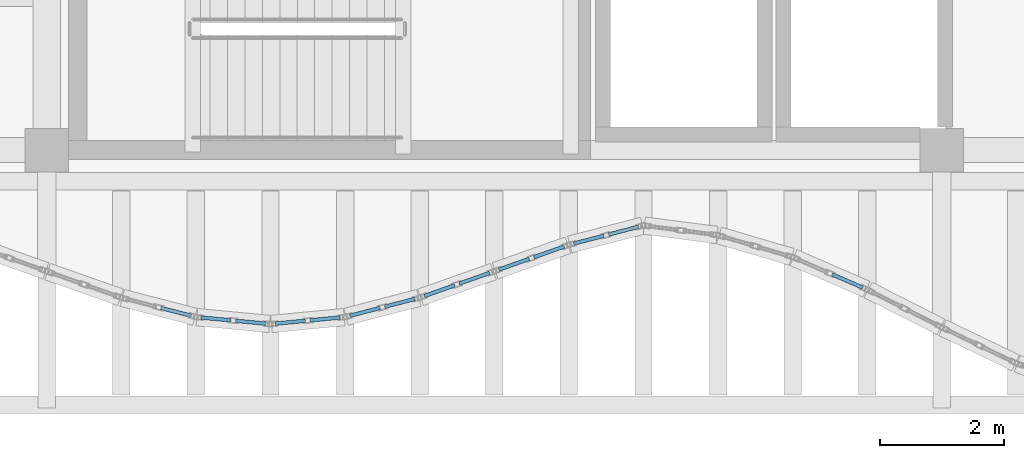
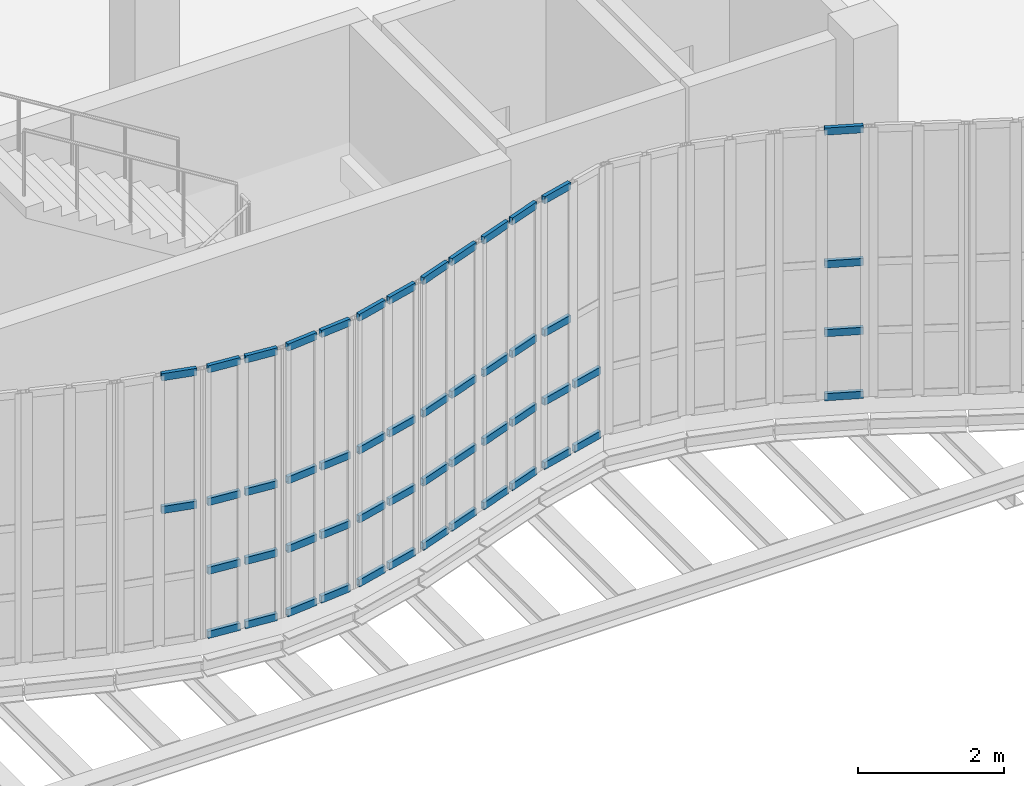
# One storey, part 50 of 108: 52 members, 8 elements without a shape of their own.
"""IFC4 building model written with IfcOpenShell, lengths in metres."""

from ifc_helpers import new_model, si_unit, direction, frame, origin, origin_2d, place, context, subcontext, project, spatial, hollow_rectangle, extrude, material, layer, layer_set, material_profile, profile_set, type_object, element, aggregate, save


model = new_model("IFC4")

# Units and contexts
model_context = context("Model", 3, precision=1e-05, world=origin(), true_north=direction((0.0, 1.0)))
body_context = subcontext(model_context, "Body", "Model", "MODEL_VIEW")
ifc_project = project(units=[si_unit("LENGTHUNIT", "METRE"), si_unit("AREAUNIT", "SQUARE_METRE"), si_unit("VOLUMEUNIT", "CUBIC_METRE"), si_unit("PLANEANGLEUNIT", "RADIAN"), si_unit("MASSUNIT", "GRAM", prefix="KILO"), si_unit("THERMODYNAMICTEMPERATUREUNIT", "KELVIN"), si_unit("POWERUNIT", "WATT")], contexts=[model_context])

# Site, building, storey
site_placement = place(None, origin())
site = spatial("IfcSite", under=ifc_project, at=site_placement, CompositionType="ELEMENT")
building_placement = place(site_placement, origin())
building = spatial("IfcBuilding", under=site, at=building_placement, Name="Kaldorven Railside Theatre", CompositionType="ELEMENT")
storey_placement = place(building_placement, frame((0.0, 0.0, 5.39990234375)))
storey = spatial("IfcBuildingStorey", under=building, at=storey_placement, Name="L01", CompositionType="ELEMENT", Elevation=5.39990234375)

# Curtain wall, members
ifc_material_1 = material(Name="Low-E laminated solar-control glass", Category="glass")
ifc_layer_1 = layer(ifc_material_1, 0.159912109375, Name="Low-E laminated solar-control glass")
ifc_layer_set_1 = layer_set([ifc_layer_1], Name="Low-E laminated solar-control glass")
curtain_wall_type_1 = type_object("IfcCurtainWallType", Name="CWT-02", PredefinedType="USERDEFINED", material=ifc_layer_set_1)
curtain_wall_1_placement = place(storey_placement, origin())
curtain_wall_1 = element("IfcCurtainWall", 1, at=curtain_wall_1_placement, inside=storey, type_object=curtain_wall_type_1, Name="Sinusoidal Fluted Curtain Wall CW-L01-S20", ObjectType="FLUTED GLAZING", PredefinedType="USERDEFINED")
ifc_material_2 = material(Name="Anodised bronze aluminium", Category="aluminium")
ifc_material_profile = material_profile(ifc_material_2, hollow_rectangle(XDim=0.06005859375, YDim=0.1201171875, WallThickness=0.0048828125, at=origin_2d()), Name="RHS 120x60x5")
ifc_profile_set = profile_set([ifc_material_profile], Name="Anodised bronze aluminium")
member_type = type_object("IfcMemberType", Name="CWT-120", PredefinedType="USERDEFINED", material=ifc_profile_set)
member_1_placement = place(storey_placement, frame((60.23876953125, 16.659423828125, 2.25), z_axis=(0.967979318949, -0.251029954561, 0.0), x_axis=(0.251029954561, 0.967979318949, 0.0)))
member_1 = element("IfcMember", 2, at=member_1_placement, type_object=member_type, Name="CW-L01-S20 transom 2.3", ObjectType="TRANSOM", PredefinedType="USERDEFINED", context=body_context, shape_type="SweptSolid", body=[
    extrude(hollow_rectangle(XDim=0.06005859375, YDim=0.1201171875, WallThickness=0.0048828125, at=origin_2d()), origin(), (0.0, 0.0, 1.0), 0.5),
])
member_2_placement = place(storey_placement, frame((60.23876953125, 16.659423828125, 4.47021484375), z_axis=(0.967979318949, -0.251029954561, 0.0), x_axis=(0.251029954561, 0.967979318949, 0.0)))
member_2 = element("IfcMember", 3, at=member_2_placement, type_object=member_type, Name="CW-L01-S20 transom 2.4", ObjectType="TRANSOM", PredefinedType="USERDEFINED", context=body_context, shape_type="SweptSolid", body=[
    extrude(hollow_rectangle(XDim=0.06005859375, YDim=0.1201171875, WallThickness=0.0048828125, at=origin_2d()), origin(), (0.0, 0.0, 1.0), 0.5),
])
aggregate(curtain_wall_1, [member_1, member_2])

ifc_layer_2 = layer(ifc_material_1, 0.159912109375, Name="Low-E laminated solar-control glass")
ifc_layer_set_2 = layer_set([ifc_layer_2], Name="Low-E laminated solar-control glass")
curtain_wall_type_2 = type_object("IfcCurtainWallType", Name="CWT-03", PredefinedType="USERDEFINED", material=ifc_layer_set_2)
curtain_wall_2_placement = place(storey_placement, origin())
curtain_wall_2 = element("IfcCurtainWall", 4, at=curtain_wall_2_placement, inside=storey, type_object=curtain_wall_type_2, Name="Sinusoidal Fluted Curtain Wall CW-L01-S21", ObjectType="FLUTED GLAZING", PredefinedType="USERDEFINED")
member_3_placement = place(storey_placement, frame((60.879638671875, 16.50634765625, 0.030029296875), z_axis=(0.995515910823, -0.094594245591, 0.0), x_axis=(0.094594245591, 0.995515910823, 0.0)))
member_3 = element("IfcMember", 5, at=member_3_placement, type_object=member_type, Name="CW-L01-S21 transom 1.1", ObjectType="TRANSOM", PredefinedType="USERDEFINED", context=body_context, shape_type="SweptSolid", body=[
    extrude(hollow_rectangle(XDim=0.06005859375, YDim=0.1201171875, WallThickness=0.0048828125, at=origin_2d()), origin(), (0.0, 0.0, 1.0), 0.482666015625),
])
member_4_placement = place(storey_placement, frame((60.879638671875, 16.50634765625, 1.10009765625), z_axis=(0.995515910823, -0.094594245591, 0.0), x_axis=(0.094594245591, 0.995515910823, 0.0)))
member_4 = element("IfcMember", 6, at=member_4_placement, type_object=member_type, Name="CW-L01-S21 transom 1.2", ObjectType="TRANSOM", PredefinedType="USERDEFINED", context=body_context, shape_type="SweptSolid", body=[
    extrude(hollow_rectangle(XDim=0.06005859375, YDim=0.1201171875, WallThickness=0.0048828125, at=origin_2d()), origin(), (0.0, 0.0, 1.0), 0.482666015625),
])
member_5_placement = place(storey_placement, frame((60.879638671875, 16.50634765625, 2.25), z_axis=(0.995515910823, -0.094594245591, 0.0), x_axis=(0.094594245591, 0.995515910823, 0.0)))
member_5 = element("IfcMember", 7, at=member_5_placement, type_object=member_type, Name="CW-L01-S21 transom 1.3", ObjectType="TRANSOM", PredefinedType="USERDEFINED", context=body_context, shape_type="SweptSolid", body=[
    extrude(hollow_rectangle(XDim=0.06005859375, YDim=0.1201171875, WallThickness=0.0048828125, at=origin_2d()), origin(), (0.0, 0.0, 1.0), 0.482666015625),
])
member_6_placement = place(storey_placement, frame((60.879638671875, 16.50634765625, 4.47021484375), z_axis=(0.995515910823, -0.094594245591, 0.0), x_axis=(0.094594245591, 0.995515910823, 0.0)))
member_6 = element("IfcMember", 8, at=member_6_placement, type_object=member_type, Name="CW-L01-S21 transom 1.4", ObjectType="TRANSOM", PredefinedType="USERDEFINED", context=body_context, shape_type="SweptSolid", body=[
    extrude(hollow_rectangle(XDim=0.06005859375, YDim=0.1201171875, WallThickness=0.0048828125, at=origin_2d()), origin(), (0.0, 0.0, 1.0), 0.482666015625),
])
member_7_placement = place(storey_placement, frame((61.43994140625, 16.453125, 0.030029296875), z_axis=(0.995515910823, -0.094594245591, 0.0), x_axis=(0.094594245591, 0.995515910823, 0.0)))
member_7 = element("IfcMember", 9, at=member_7_placement, type_object=member_type, Name="CW-L01-S21 transom 2.1", ObjectType="TRANSOM", PredefinedType="USERDEFINED", context=body_context, shape_type="SweptSolid", body=[
    extrude(hollow_rectangle(XDim=0.06005859375, YDim=0.1201171875, WallThickness=0.0048828125, at=origin_2d()), origin(), (0.0, 0.0, 1.0), 0.482666015625),
])
member_8_placement = place(storey_placement, frame((61.43994140625, 16.453125, 1.10009765625), z_axis=(0.995515910823, -0.094594245591, 0.0), x_axis=(0.094594245591, 0.995515910823, 0.0)))
member_8 = element("IfcMember", 10, at=member_8_placement, type_object=member_type, Name="CW-L01-S21 transom 2.2", ObjectType="TRANSOM", PredefinedType="USERDEFINED", context=body_context, shape_type="SweptSolid", body=[
    extrude(hollow_rectangle(XDim=0.06005859375, YDim=0.1201171875, WallThickness=0.0048828125, at=origin_2d()), origin(), (0.0, 0.0, 1.0), 0.482666015625),
])
member_9_placement = place(storey_placement, frame((61.43994140625, 16.453125, 2.25), z_axis=(0.995515910823, -0.094594245591, 0.0), x_axis=(0.094594245591, 0.995515910823, 0.0)))
member_9 = element("IfcMember", 11, at=member_9_placement, type_object=member_type, Name="CW-L01-S21 transom 2.3", ObjectType="TRANSOM", PredefinedType="USERDEFINED", context=body_context, shape_type="SweptSolid", body=[
    extrude(hollow_rectangle(XDim=0.06005859375, YDim=0.1201171875, WallThickness=0.0048828125, at=origin_2d()), origin(), (0.0, 0.0, 1.0), 0.482666015625),
])
member_10_placement = place(storey_placement, frame((61.43994140625, 16.453125, 4.47021484375), z_axis=(0.995515910823, -0.094594245591, 0.0), x_axis=(0.094594245591, 0.995515910823, 0.0)))
member_10 = element("IfcMember", 12, at=member_10_placement, type_object=member_type, Name="CW-L01-S21 transom 2.4", ObjectType="TRANSOM", PredefinedType="USERDEFINED", context=body_context, shape_type="SweptSolid", body=[
    extrude(hollow_rectangle(XDim=0.06005859375, YDim=0.1201171875, WallThickness=0.0048828125, at=origin_2d()), origin(), (0.0, 0.0, 1.0), 0.482666015625),
])
aggregate(curtain_wall_2, [member_3, member_4, member_5, member_6, member_7, member_8, member_9, member_10])

curtain_wall_3_placement = place(storey_placement, origin())
curtain_wall_3 = element("IfcCurtainWall", 13, at=curtain_wall_3_placement, inside=storey, type_object=curtain_wall_type_2, Name="Sinusoidal Fluted Curtain Wall CW-L01-S22", ObjectType="FLUTED GLAZING", PredefinedType="USERDEFINED")
member_11_placement = place(storey_placement, frame((62.07958984375, 16.407470703125, 0.030029296875), z_axis=(0.995515910823, 0.094594245591, 0.0), x_axis=(-0.094594245591, 0.995515910823, 0.0)))
member_11 = element("IfcMember", 14, at=member_11_placement, type_object=member_type, Name="CW-L01-S22 transom 1.1", ObjectType="TRANSOM", PredefinedType="USERDEFINED", context=body_context, shape_type="SweptSolid", body=[
    extrude(hollow_rectangle(XDim=0.06005859375, YDim=0.1201171875, WallThickness=0.0048828125, at=origin_2d()), origin(), (0.0, 0.0, 1.0), 0.482666015625),
])
member_12_placement = place(storey_placement, frame((62.07958984375, 16.407470703125, 1.10009765625), z_axis=(0.995515910823, 0.094594245591, 0.0), x_axis=(-0.094594245591, 0.995515910823, 0.0)))
member_12 = element("IfcMember", 15, at=member_12_placement, type_object=member_type, Name="CW-L01-S22 transom 1.2", ObjectType="TRANSOM", PredefinedType="USERDEFINED", context=body_context, shape_type="SweptSolid", body=[
    extrude(hollow_rectangle(XDim=0.06005859375, YDim=0.1201171875, WallThickness=0.0048828125, at=origin_2d()), origin(), (0.0, 0.0, 1.0), 0.482666015625),
])
member_13_placement = place(storey_placement, frame((62.07958984375, 16.407470703125, 2.25), z_axis=(0.995515910823, 0.094594245591, 0.0), x_axis=(-0.094594245591, 0.995515910823, 0.0)))
member_13 = element("IfcMember", 16, at=member_13_placement, type_object=member_type, Name="CW-L01-S22 transom 1.3", ObjectType="TRANSOM", PredefinedType="USERDEFINED", context=body_context, shape_type="SweptSolid", body=[
    extrude(hollow_rectangle(XDim=0.06005859375, YDim=0.1201171875, WallThickness=0.0048828125, at=origin_2d()), origin(), (0.0, 0.0, 1.0), 0.482666015625),
])
member_14_placement = place(storey_placement, frame((62.07958984375, 16.407470703125, 4.47021484375), z_axis=(0.995515910823, 0.094594245591, 0.0), x_axis=(-0.094594245591, 0.995515910823, 0.0)))
member_14 = element("IfcMember", 17, at=member_14_placement, type_object=member_type, Name="CW-L01-S22 transom 1.4", ObjectType="TRANSOM", PredefinedType="USERDEFINED", context=body_context, shape_type="SweptSolid", body=[
    extrude(hollow_rectangle(XDim=0.06005859375, YDim=0.1201171875, WallThickness=0.0048828125, at=origin_2d()), origin(), (0.0, 0.0, 1.0), 0.482666015625),
])
member_15_placement = place(storey_placement, frame((62.639892578125, 16.460693359375, 0.030029296875), z_axis=(0.995515910823, 0.094594245591, 0.0), x_axis=(-0.094594245591, 0.995515910823, 0.0)))
member_15 = element("IfcMember", 18, at=member_15_placement, type_object=member_type, Name="CW-L01-S22 transom 2.1", ObjectType="TRANSOM", PredefinedType="USERDEFINED", context=body_context, shape_type="SweptSolid", body=[
    extrude(hollow_rectangle(XDim=0.06005859375, YDim=0.1201171875, WallThickness=0.0048828125, at=origin_2d()), origin(), (0.0, 0.0, 1.0), 0.482666015625),
])
member_16_placement = place(storey_placement, frame((62.639892578125, 16.460693359375, 1.10009765625), z_axis=(0.995515910823, 0.094594245591, 0.0), x_axis=(-0.094594245591, 0.995515910823, 0.0)))
member_16 = element("IfcMember", 19, at=member_16_placement, type_object=member_type, Name="CW-L01-S22 transom 2.2", ObjectType="TRANSOM", PredefinedType="USERDEFINED", context=body_context, shape_type="SweptSolid", body=[
    extrude(hollow_rectangle(XDim=0.06005859375, YDim=0.1201171875, WallThickness=0.0048828125, at=origin_2d()), origin(), (0.0, 0.0, 1.0), 0.482666015625),
])
member_17_placement = place(storey_placement, frame((62.639892578125, 16.460693359375, 2.25), z_axis=(0.995515910823, 0.094594245591, 0.0), x_axis=(-0.094594245591, 0.995515910823, 0.0)))
member_17 = element("IfcMember", 20, at=member_17_placement, type_object=member_type, Name="CW-L01-S22 transom 2.3", ObjectType="TRANSOM", PredefinedType="USERDEFINED", context=body_context, shape_type="SweptSolid", body=[
    extrude(hollow_rectangle(XDim=0.06005859375, YDim=0.1201171875, WallThickness=0.0048828125, at=origin_2d()), origin(), (0.0, 0.0, 1.0), 0.482666015625),
])
member_18_placement = place(storey_placement, frame((62.639892578125, 16.460693359375, 4.47021484375), z_axis=(0.995515910823, 0.094594245591, 0.0), x_axis=(-0.094594245591, 0.995515910823, 0.0)))
member_18 = element("IfcMember", 21, at=member_18_placement, type_object=member_type, Name="CW-L01-S22 transom 2.4", ObjectType="TRANSOM", PredefinedType="USERDEFINED", context=body_context, shape_type="SweptSolid", body=[
    extrude(hollow_rectangle(XDim=0.06005859375, YDim=0.1201171875, WallThickness=0.0048828125, at=origin_2d()), origin(), (0.0, 0.0, 1.0), 0.482666015625),
])
aggregate(curtain_wall_3, [member_11, member_12, member_13, member_14, member_15, member_16, member_17, member_18])

curtain_wall_4_placement = place(storey_placement, origin())
curtain_wall_4 = element("IfcCurtainWall", 22, at=curtain_wall_4_placement, inside=storey, type_object=curtain_wall_type_1, Name="Sinusoidal Fluted Curtain Wall CW-L01-S23", ObjectType="FLUTED GLAZING", PredefinedType="USERDEFINED")
member_19_placement = place(storey_placement, frame((63.27734375, 16.533935546875, 0.030029296875), z_axis=(0.967979318949, 0.251029954561, 0.0), x_axis=(-0.251029954561, 0.967979318949, 0.0)))
member_19 = element("IfcMember", 23, at=member_19_placement, type_object=member_type, Name="CW-L01-S23 transom 1.1", ObjectType="TRANSOM", PredefinedType="USERDEFINED", context=body_context, shape_type="SweptSolid", body=[
    extrude(hollow_rectangle(XDim=0.06005859375, YDim=0.1201171875, WallThickness=0.0048828125, at=origin_2d()), origin(), (0.0, 0.0, 1.0), 0.5),
])
member_20_placement = place(storey_placement, frame((63.27734375, 16.533935546875, 1.10009765625), z_axis=(0.967979318949, 0.251029954561, 0.0), x_axis=(-0.251029954561, 0.967979318949, 0.0)))
member_20 = element("IfcMember", 24, at=member_20_placement, type_object=member_type, Name="CW-L01-S23 transom 1.2", ObjectType="TRANSOM", PredefinedType="USERDEFINED", context=body_context, shape_type="SweptSolid", body=[
    extrude(hollow_rectangle(XDim=0.06005859375, YDim=0.1201171875, WallThickness=0.0048828125, at=origin_2d()), origin(), (0.0, 0.0, 1.0), 0.5),
])
member_21_placement = place(storey_placement, frame((63.27734375, 16.533935546875, 2.25), z_axis=(0.967979318949, 0.251029954561, 0.0), x_axis=(-0.251029954561, 0.967979318949, 0.0)))
member_21 = element("IfcMember", 25, at=member_21_placement, type_object=member_type, Name="CW-L01-S23 transom 1.3", ObjectType="TRANSOM", PredefinedType="USERDEFINED", context=body_context, shape_type="SweptSolid", body=[
    extrude(hollow_rectangle(XDim=0.06005859375, YDim=0.1201171875, WallThickness=0.0048828125, at=origin_2d()), origin(), (0.0, 0.0, 1.0), 0.5),
])
member_22_placement = place(storey_placement, frame((63.27734375, 16.533935546875, 4.47021484375), z_axis=(0.967979318949, 0.251029954561, 0.0), x_axis=(-0.251029954561, 0.967979318949, 0.0)))
member_22 = element("IfcMember", 26, at=member_22_placement, type_object=member_type, Name="CW-L01-S23 transom 1.4", ObjectType="TRANSOM", PredefinedType="USERDEFINED", context=body_context, shape_type="SweptSolid", body=[
    extrude(hollow_rectangle(XDim=0.06005859375, YDim=0.1201171875, WallThickness=0.0048828125, at=origin_2d()), origin(), (0.0, 0.0, 1.0), 0.5),
])
member_23_placement = place(storey_placement, frame((63.838623046875, 16.679443359375, 0.030029296875), z_axis=(0.967979318949, 0.251029954561, 0.0), x_axis=(-0.251029954561, 0.967979318949, 0.0)))
member_23 = element("IfcMember", 27, at=member_23_placement, type_object=member_type, Name="CW-L01-S23 transom 2.1", ObjectType="TRANSOM", PredefinedType="USERDEFINED", context=body_context, shape_type="SweptSolid", body=[
    extrude(hollow_rectangle(XDim=0.06005859375, YDim=0.1201171875, WallThickness=0.0048828125, at=origin_2d()), origin(), (0.0, 0.0, 1.0), 0.5),
])
member_24_placement = place(storey_placement, frame((63.838623046875, 16.679443359375, 1.10009765625), z_axis=(0.967979318949, 0.251029954561, 0.0), x_axis=(-0.251029954561, 0.967979318949, 0.0)))
member_24 = element("IfcMember", 28, at=member_24_placement, type_object=member_type, Name="CW-L01-S23 transom 2.2", ObjectType="TRANSOM", PredefinedType="USERDEFINED", context=body_context, shape_type="SweptSolid", body=[
    extrude(hollow_rectangle(XDim=0.06005859375, YDim=0.1201171875, WallThickness=0.0048828125, at=origin_2d()), origin(), (0.0, 0.0, 1.0), 0.5),
])
member_25_placement = place(storey_placement, frame((63.838623046875, 16.679443359375, 2.25), z_axis=(0.967979318949, 0.251029954561, 0.0), x_axis=(-0.251029954561, 0.967979318949, 0.0)))
member_25 = element("IfcMember", 29, at=member_25_placement, type_object=member_type, Name="CW-L01-S23 transom 2.3", ObjectType="TRANSOM", PredefinedType="USERDEFINED", context=body_context, shape_type="SweptSolid", body=[
    extrude(hollow_rectangle(XDim=0.06005859375, YDim=0.1201171875, WallThickness=0.0048828125, at=origin_2d()), origin(), (0.0, 0.0, 1.0), 0.5),
])
member_26_placement = place(storey_placement, frame((63.838623046875, 16.679443359375, 4.47021484375), z_axis=(0.967979318949, 0.251029954561, 0.0), x_axis=(-0.251029954561, 0.967979318949, 0.0)))
member_26 = element("IfcMember", 30, at=member_26_placement, type_object=member_type, Name="CW-L01-S23 transom 2.4", ObjectType="TRANSOM", PredefinedType="USERDEFINED", context=body_context, shape_type="SweptSolid", body=[
    extrude(hollow_rectangle(XDim=0.06005859375, YDim=0.1201171875, WallThickness=0.0048828125, at=origin_2d()), origin(), (0.0, 0.0, 1.0), 0.5),
])
aggregate(curtain_wall_4, [member_19, member_20, member_21, member_22, member_23, member_24, member_25, member_26])

ifc_layer_3 = layer(ifc_material_1, 0.159912109375, Name="Low-E laminated solar-control glass")
ifc_layer_set_3 = layer_set([ifc_layer_3], Name="Low-E laminated solar-control glass")
curtain_wall_type_3 = type_object("IfcCurtainWallType", Name="CWT-01", PredefinedType="USERDEFINED", material=ifc_layer_set_3)
curtain_wall_5_placement = place(storey_placement, origin())
curtain_wall_5 = element("IfcCurtainWall", 31, at=curtain_wall_5_placement, inside=storey, type_object=curtain_wall_type_3, Name="Sinusoidal Fluted Curtain Wall CW-L01-S24", ObjectType="FLUTED GLAZING", PredefinedType="USERDEFINED")
member_27_placement = place(storey_placement, frame((64.475341796875, 16.851806640625, 0.030029296875), z_axis=(0.942710841688, 0.333610954502, 0.0), x_axis=(-0.333610954502, 0.942710841688, 0.0)))
member_27 = element("IfcMember", 32, at=member_27_placement, type_object=member_type, Name="CW-L01-S24 transom 1.1", ObjectType="TRANSOM", PredefinedType="USERDEFINED", context=body_context, shape_type="SweptSolid", body=[
    extrude(hollow_rectangle(XDim=0.06005859375, YDim=0.1201171875, WallThickness=0.0048828125, at=origin_2d()), origin(), (0.0, 0.0, 1.0), 0.5166015625),
])
member_28_placement = place(storey_placement, frame((64.475341796875, 16.851806640625, 1.10009765625), z_axis=(0.942710841688, 0.333610954502, 0.0), x_axis=(-0.333610954502, 0.942710841688, 0.0)))
member_28 = element("IfcMember", 33, at=member_28_placement, type_object=member_type, Name="CW-L01-S24 transom 1.2", ObjectType="TRANSOM", PredefinedType="USERDEFINED", context=body_context, shape_type="SweptSolid", body=[
    extrude(hollow_rectangle(XDim=0.06005859375, YDim=0.1201171875, WallThickness=0.0048828125, at=origin_2d()), origin(), (0.0, 0.0, 1.0), 0.5166015625),
])
member_29_placement = place(storey_placement, frame((64.475341796875, 16.851806640625, 2.25), z_axis=(0.942710841688, 0.333610954502, 0.0), x_axis=(-0.333610954502, 0.942710841688, 0.0)))
member_29 = element("IfcMember", 34, at=member_29_placement, type_object=member_type, Name="CW-L01-S24 transom 1.3", ObjectType="TRANSOM", PredefinedType="USERDEFINED", context=body_context, shape_type="SweptSolid", body=[
    extrude(hollow_rectangle(XDim=0.06005859375, YDim=0.1201171875, WallThickness=0.0048828125, at=origin_2d()), origin(), (0.0, 0.0, 1.0), 0.5166015625),
])
member_30_placement = place(storey_placement, frame((64.475341796875, 16.851806640625, 4.47021484375), z_axis=(0.942710841688, 0.333610954502, 0.0), x_axis=(-0.333610954502, 0.942710841688, 0.0)))
member_30 = element("IfcMember", 35, at=member_30_placement, type_object=member_type, Name="CW-L01-S24 transom 1.4", ObjectType="TRANSOM", PredefinedType="USERDEFINED", context=body_context, shape_type="SweptSolid", body=[
    extrude(hollow_rectangle(XDim=0.06005859375, YDim=0.1201171875, WallThickness=0.0048828125, at=origin_2d()), origin(), (0.0, 0.0, 1.0), 0.5166015625),
])
member_31_placement = place(storey_placement, frame((65.03759765625, 17.05078125, 0.030029296875), z_axis=(0.94256215944, 0.334030800363, 0.0), x_axis=(-0.334030800363, 0.94256215944, 0.0)))
member_31 = element("IfcMember", 36, at=member_31_placement, type_object=member_type, Name="CW-L01-S24 transom 2.1", ObjectType="TRANSOM", PredefinedType="USERDEFINED", context=body_context, shape_type="SweptSolid", body=[
    extrude(hollow_rectangle(XDim=0.06005859375, YDim=0.1201171875, WallThickness=0.0048828125, at=origin_2d()), origin(), (0.0, 0.0, 1.0), 0.516845703125),
])
member_32_placement = place(storey_placement, frame((65.03759765625, 17.05078125, 1.10009765625), z_axis=(0.94256215944, 0.334030800363, 0.0), x_axis=(-0.334030800363, 0.94256215944, 0.0)))
member_32 = element("IfcMember", 37, at=member_32_placement, type_object=member_type, Name="CW-L01-S24 transom 2.2", ObjectType="TRANSOM", PredefinedType="USERDEFINED", context=body_context, shape_type="SweptSolid", body=[
    extrude(hollow_rectangle(XDim=0.06005859375, YDim=0.1201171875, WallThickness=0.0048828125, at=origin_2d()), origin(), (0.0, 0.0, 1.0), 0.516845703125),
])
member_33_placement = place(storey_placement, frame((65.03759765625, 17.05078125, 2.25), z_axis=(0.94256215944, 0.334030800363, 0.0), x_axis=(-0.334030800363, 0.94256215944, 0.0)))
member_33 = element("IfcMember", 38, at=member_33_placement, type_object=member_type, Name="CW-L01-S24 transom 2.3", ObjectType="TRANSOM", PredefinedType="USERDEFINED", context=body_context, shape_type="SweptSolid", body=[
    extrude(hollow_rectangle(XDim=0.06005859375, YDim=0.1201171875, WallThickness=0.0048828125, at=origin_2d()), origin(), (0.0, 0.0, 1.0), 0.516845703125),
])
member_34_placement = place(storey_placement, frame((65.03759765625, 17.05078125, 4.47021484375), z_axis=(0.94256215944, 0.334030800363, 0.0), x_axis=(-0.334030800363, 0.94256215944, 0.0)))
member_34 = element("IfcMember", 39, at=member_34_placement, type_object=member_type, Name="CW-L01-S24 transom 2.4", ObjectType="TRANSOM", PredefinedType="USERDEFINED", context=body_context, shape_type="SweptSolid", body=[
    extrude(hollow_rectangle(XDim=0.06005859375, YDim=0.1201171875, WallThickness=0.0048828125, at=origin_2d()), origin(), (0.0, 0.0, 1.0), 0.516845703125),
])
aggregate(curtain_wall_5, [member_27, member_28, member_29, member_30, member_31, member_32, member_33, member_34])

curtain_wall_6_placement = place(storey_placement, origin())
curtain_wall_6 = element("IfcCurtainWall", 40, at=curtain_wall_6_placement, inside=storey, type_object=curtain_wall_type_3, Name="Sinusoidal Fluted Curtain Wall CW-L01-S25", ObjectType="FLUTED GLAZING", PredefinedType="USERDEFINED")
member_35_placement = place(storey_placement, frame((65.67529296875, 17.276611328125, 0.030029296875), z_axis=(0.94256215944, 0.334030800363, 0.0), x_axis=(-0.334030800363, 0.94256215944, 0.0)))
member_35 = element("IfcMember", 41, at=member_35_placement, type_object=member_type, Name="CW-L01-S25 transom 1.1", ObjectType="TRANSOM", PredefinedType="USERDEFINED", context=body_context, shape_type="SweptSolid", body=[
    extrude(hollow_rectangle(XDim=0.06005859375, YDim=0.1201171875, WallThickness=0.0048828125, at=origin_2d()), origin(), (0.0, 0.0, 1.0), 0.516845703125),
])
member_36_placement = place(storey_placement, frame((65.67529296875, 17.276611328125, 1.10009765625), z_axis=(0.94256215944, 0.334030800363, 0.0), x_axis=(-0.334030800363, 0.94256215944, 0.0)))
member_36 = element("IfcMember", 42, at=member_36_placement, type_object=member_type, Name="CW-L01-S25 transom 1.2", ObjectType="TRANSOM", PredefinedType="USERDEFINED", context=body_context, shape_type="SweptSolid", body=[
    extrude(hollow_rectangle(XDim=0.06005859375, YDim=0.1201171875, WallThickness=0.0048828125, at=origin_2d()), origin(), (0.0, 0.0, 1.0), 0.516845703125),
])
member_37_placement = place(storey_placement, frame((65.67529296875, 17.276611328125, 2.25), z_axis=(0.94256215944, 0.334030800363, 0.0), x_axis=(-0.334030800363, 0.94256215944, 0.0)))
member_37 = element("IfcMember", 43, at=member_37_placement, type_object=member_type, Name="CW-L01-S25 transom 1.3", ObjectType="TRANSOM", PredefinedType="USERDEFINED", context=body_context, shape_type="SweptSolid", body=[
    extrude(hollow_rectangle(XDim=0.06005859375, YDim=0.1201171875, WallThickness=0.0048828125, at=origin_2d()), origin(), (0.0, 0.0, 1.0), 0.516845703125),
])
member_38_placement = place(storey_placement, frame((65.67529296875, 17.276611328125, 4.47021484375), z_axis=(0.94256215944, 0.334030800363, 0.0), x_axis=(-0.334030800363, 0.94256215944, 0.0)))
member_38 = element("IfcMember", 44, at=member_38_placement, type_object=member_type, Name="CW-L01-S25 transom 1.4", ObjectType="TRANSOM", PredefinedType="USERDEFINED", context=body_context, shape_type="SweptSolid", body=[
    extrude(hollow_rectangle(XDim=0.06005859375, YDim=0.1201171875, WallThickness=0.0048828125, at=origin_2d()), origin(), (0.0, 0.0, 1.0), 0.516845703125),
])
member_39_placement = place(storey_placement, frame((66.23779296875, 17.475830078125, 0.030029296875), z_axis=(0.942658214948, 0.333759628763, 0.0), x_axis=(-0.333759628763, 0.942658214948, 0.0)))
member_39 = element("IfcMember", 45, at=member_39_placement, type_object=member_type, Name="CW-L01-S25 transom 2.1", ObjectType="TRANSOM", PredefinedType="USERDEFINED", context=body_context, shape_type="SweptSolid", body=[
    extrude(hollow_rectangle(XDim=0.06005859375, YDim=0.1201171875, WallThickness=0.0048828125, at=origin_2d()), origin(), (0.0, 0.0, 1.0), 0.516357421875),
])
member_40_placement = place(storey_placement, frame((66.23779296875, 17.475830078125, 1.10009765625), z_axis=(0.942658214948, 0.333759628763, 0.0), x_axis=(-0.333759628763, 0.942658214948, 0.0)))
member_40 = element("IfcMember", 46, at=member_40_placement, type_object=member_type, Name="CW-L01-S25 transom 2.2", ObjectType="TRANSOM", PredefinedType="USERDEFINED", context=body_context, shape_type="SweptSolid", body=[
    extrude(hollow_rectangle(XDim=0.06005859375, YDim=0.1201171875, WallThickness=0.0048828125, at=origin_2d()), origin(), (0.0, 0.0, 1.0), 0.516357421875),
])
member_41_placement = place(storey_placement, frame((66.23779296875, 17.475830078125, 2.25), z_axis=(0.942658214948, 0.333759628763, 0.0), x_axis=(-0.333759628763, 0.942658214948, 0.0)))
member_41 = element("IfcMember", 47, at=member_41_placement, type_object=member_type, Name="CW-L01-S25 transom 2.3", ObjectType="TRANSOM", PredefinedType="USERDEFINED", context=body_context, shape_type="SweptSolid", body=[
    extrude(hollow_rectangle(XDim=0.06005859375, YDim=0.1201171875, WallThickness=0.0048828125, at=origin_2d()), origin(), (0.0, 0.0, 1.0), 0.516357421875),
])
member_42_placement = place(storey_placement, frame((66.23779296875, 17.475830078125, 4.47021484375), z_axis=(0.942658214948, 0.333759628763, 0.0), x_axis=(-0.333759628763, 0.942658214948, 0.0)))
member_42 = element("IfcMember", 48, at=member_42_placement, type_object=member_type, Name="CW-L01-S25 transom 2.4", ObjectType="TRANSOM", PredefinedType="USERDEFINED", context=body_context, shape_type="SweptSolid", body=[
    extrude(hollow_rectangle(XDim=0.06005859375, YDim=0.1201171875, WallThickness=0.0048828125, at=origin_2d()), origin(), (0.0, 0.0, 1.0), 0.516357421875),
])
aggregate(curtain_wall_6, [member_35, member_36, member_37, member_38, member_39, member_40, member_41, member_42])

curtain_wall_7_placement = place(storey_placement, origin())
curtain_wall_7 = element("IfcCurtainWall", 49, at=curtain_wall_7_placement, inside=storey, type_object=curtain_wall_type_1, Name="Sinusoidal Fluted Curtain Wall CW-L01-S26", ObjectType="FLUTED GLAZING", PredefinedType="USERDEFINED")
member_43_placement = place(storey_placement, frame((66.87744140625, 17.695068359375, 0.030029296875), z_axis=(0.967979318949, 0.251029954561, 0.0), x_axis=(-0.251029954561, 0.967979318949, 0.0)))
member_43 = element("IfcMember", 50, at=member_43_placement, type_object=member_type, Name="CW-L01-S26 transom 1.1", ObjectType="TRANSOM", PredefinedType="USERDEFINED", context=body_context, shape_type="SweptSolid", body=[
    extrude(hollow_rectangle(XDim=0.06005859375, YDim=0.1201171875, WallThickness=0.0048828125, at=origin_2d()), origin(), (0.0, 0.0, 1.0), 0.5),
])
member_44_placement = place(storey_placement, frame((66.87744140625, 17.695068359375, 1.10009765625), z_axis=(0.967979318949, 0.251029954561, 0.0), x_axis=(-0.251029954561, 0.967979318949, 0.0)))
member_44 = element("IfcMember", 51, at=member_44_placement, type_object=member_type, Name="CW-L01-S26 transom 1.2", ObjectType="TRANSOM", PredefinedType="USERDEFINED", context=body_context, shape_type="SweptSolid", body=[
    extrude(hollow_rectangle(XDim=0.06005859375, YDim=0.1201171875, WallThickness=0.0048828125, at=origin_2d()), origin(), (0.0, 0.0, 1.0), 0.5),
])
member_45_placement = place(storey_placement, frame((66.87744140625, 17.695068359375, 2.25), z_axis=(0.967979318949, 0.251029954561, 0.0), x_axis=(-0.251029954561, 0.967979318949, 0.0)))
member_45 = element("IfcMember", 52, at=member_45_placement, type_object=member_type, Name="CW-L01-S26 transom 1.3", ObjectType="TRANSOM", PredefinedType="USERDEFINED", context=body_context, shape_type="SweptSolid", body=[
    extrude(hollow_rectangle(XDim=0.06005859375, YDim=0.1201171875, WallThickness=0.0048828125, at=origin_2d()), origin(), (0.0, 0.0, 1.0), 0.5),
])
member_46_placement = place(storey_placement, frame((66.87744140625, 17.695068359375, 4.47021484375), z_axis=(0.967979318949, 0.251029954561, 0.0), x_axis=(-0.251029954561, 0.967979318949, 0.0)))
member_46 = element("IfcMember", 53, at=member_46_placement, type_object=member_type, Name="CW-L01-S26 transom 1.4", ObjectType="TRANSOM", PredefinedType="USERDEFINED", context=body_context, shape_type="SweptSolid", body=[
    extrude(hollow_rectangle(XDim=0.06005859375, YDim=0.1201171875, WallThickness=0.0048828125, at=origin_2d()), origin(), (0.0, 0.0, 1.0), 0.5),
])
member_47_placement = place(storey_placement, frame((67.438720703125, 17.840576171875, 0.030029296875), z_axis=(0.967979318949, 0.251029954561, 0.0), x_axis=(-0.251029954561, 0.967979318949, 0.0)))
member_47 = element("IfcMember", 54, at=member_47_placement, type_object=member_type, Name="CW-L01-S26 transom 2.1", ObjectType="TRANSOM", PredefinedType="USERDEFINED", context=body_context, shape_type="SweptSolid", body=[
    extrude(hollow_rectangle(XDim=0.06005859375, YDim=0.1201171875, WallThickness=0.0048828125, at=origin_2d()), origin(), (0.0, 0.0, 1.0), 0.5),
])
member_48_placement = place(storey_placement, frame((67.438720703125, 17.840576171875, 1.10009765625), z_axis=(0.967979318949, 0.251029954561, 0.0), x_axis=(-0.251029954561, 0.967979318949, 0.0)))
member_48 = element("IfcMember", 55, at=member_48_placement, type_object=member_type, Name="CW-L01-S26 transom 2.2", ObjectType="TRANSOM", PredefinedType="USERDEFINED", context=body_context, shape_type="SweptSolid", body=[
    extrude(hollow_rectangle(XDim=0.06005859375, YDim=0.1201171875, WallThickness=0.0048828125, at=origin_2d()), origin(), (0.0, 0.0, 1.0), 0.5),
])
aggregate(curtain_wall_7, [member_43, member_44, member_45, member_46, member_47, member_48])

ifc_layer_4 = layer(ifc_material_1, 0.159912109375, Name="Low-E laminated solar-control glass")
ifc_layer_set_4 = layer_set([ifc_layer_4], Name="Low-E laminated solar-control glass")
curtain_wall_type_4 = type_object("IfcCurtainWallType", Name="CWT-05", PredefinedType="USERDEFINED", material=ifc_layer_set_4)
curtain_wall_8_placement = place(storey_placement, origin())
curtain_wall_8 = element("IfcCurtainWall", 56, at=curtain_wall_8_placement, inside=storey, type_object=curtain_wall_type_4, Name="Sinusoidal Fluted Curtain Wall CW-L01-S29", ObjectType="FLUTED GLAZING", PredefinedType="USERDEFINED")
member_49_placement = place(storey_placement, frame((71.03662109375, 17.199462890625, 0.030029296875), z_axis=(0.917004668274, -0.398876470056, 0.0), x_axis=(0.398876470056, 0.917004668274, 0.0)))
member_49 = element("IfcMember", 57, at=member_49_placement, type_object=member_type, Name="CW-L01-S29 transom 2.1", ObjectType="TRANSOM", PredefinedType="USERDEFINED", context=body_context, shape_type="SweptSolid", body=[
    extrude(hollow_rectangle(XDim=0.06005859375, YDim=0.1201171875, WallThickness=0.0048828125, at=origin_2d()), origin(), (0.0, 0.0, 1.0), 0.534423828125),
])
member_50_placement = place(storey_placement, frame((71.03662109375, 17.199462890625, 1.10009765625), z_axis=(0.917004668274, -0.398876470056, 0.0), x_axis=(0.398876470056, 0.917004668274, 0.0)))
member_50 = element("IfcMember", 58, at=member_50_placement, type_object=member_type, Name="CW-L01-S29 transom 2.2", ObjectType="TRANSOM", PredefinedType="USERDEFINED", context=body_context, shape_type="SweptSolid", body=[
    extrude(hollow_rectangle(XDim=0.06005859375, YDim=0.1201171875, WallThickness=0.0048828125, at=origin_2d()), origin(), (0.0, 0.0, 1.0), 0.534423828125),
])
member_51_placement = place(storey_placement, frame((71.03662109375, 17.199462890625, 2.25), z_axis=(0.917004668274, -0.398876470056, 0.0), x_axis=(0.398876470056, 0.917004668274, 0.0)))
member_51 = element("IfcMember", 59, at=member_51_placement, type_object=member_type, Name="CW-L01-S29 transom 2.3", ObjectType="TRANSOM", PredefinedType="USERDEFINED", context=body_context, shape_type="SweptSolid", body=[
    extrude(hollow_rectangle(XDim=0.06005859375, YDim=0.1201171875, WallThickness=0.0048828125, at=origin_2d()), origin(), (0.0, 0.0, 1.0), 0.534423828125),
])
member_52_placement = place(storey_placement, frame((71.03662109375, 17.199462890625, 4.47021484375), z_axis=(0.917004668274, -0.398876470056, 0.0), x_axis=(0.398876470056, 0.917004668274, 0.0)))
member_52 = element("IfcMember", 60, at=member_52_placement, type_object=member_type, Name="CW-L01-S29 transom 2.4", ObjectType="TRANSOM", PredefinedType="USERDEFINED", context=body_context, shape_type="SweptSolid", body=[
    extrude(hollow_rectangle(XDim=0.06005859375, YDim=0.1201171875, WallThickness=0.0048828125, at=origin_2d()), origin(), (0.0, 0.0, 1.0), 0.534423828125),
])
aggregate(curtain_wall_8, [member_49, member_50, member_51, member_52])

save(model, "model.ifc")
